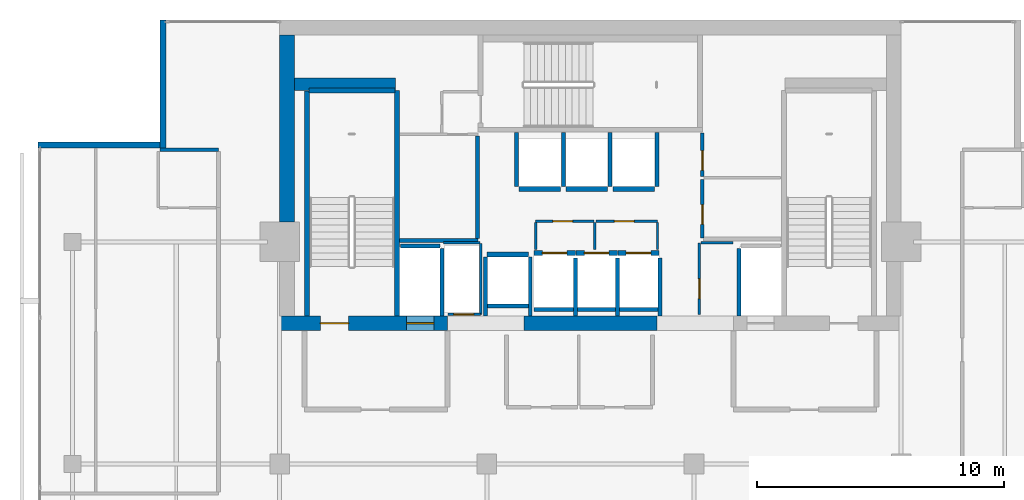
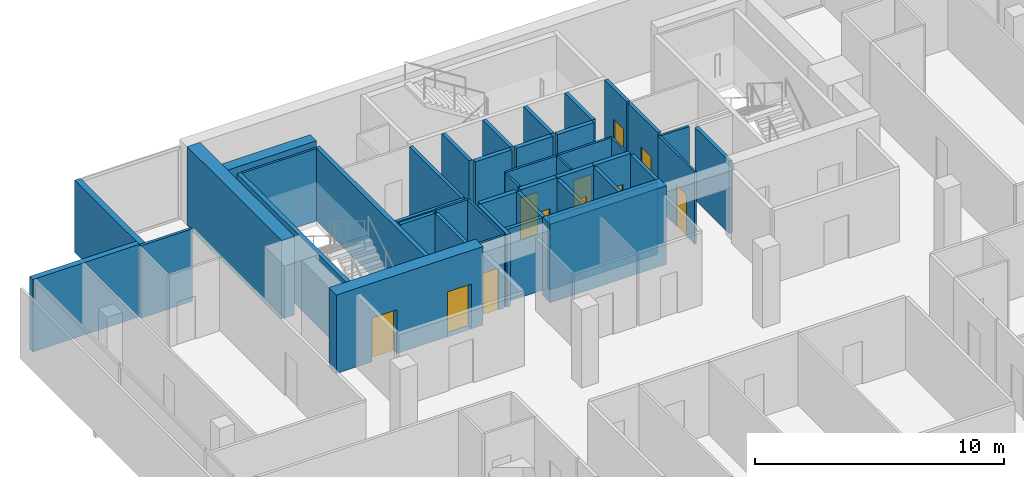
# One storey, part 22 of 26: 45 walls, 11 doors, 11 openings.
"""IFC4 building model written with IfcOpenShell, lengths in metres."""

import ifcopenshell
import ifcopenshell.guid

model = None  # the IFC model being written
_history = None  # IfcOwnerHistory: only IFC2X3 demands one
_inside = {}  # id of a spatial element -> (the spatial element, [elements in it])
_under = {}  # id of a project, library or spatial element -> (it, [spatial elements below it])
_declared = {}  # id of a project -> (the project, [libraries it declares])
_typed = {}  # id of a type object -> (the type object, [elements of that type])
_made_of = {}  # id of a material, layer set ... -> (it, [elements and type objects made of it])


def new_model(schema):
    """Start an empty IFC model of exactly this schema.

    Asked for "IFC4X3", IfcOpenShell would pick the latest addendum, in which some entities
    have other attributes; the version numbers below select the first issue.
    IFC2X3 requires an IfcOwnerHistory on every rooted entity: one is made here for all.
    """
    global model, _history
    if schema == "IFC4X3":
        model = ifcopenshell.file(schema_version=(4, 3, 0, 0))
    else:
        model = ifcopenshell.file(schema=schema)
    _inside.clear()
    _under.clear()
    _declared.clear()
    _typed.clear()
    _made_of.clear()
    _history = None
    if model.schema == "IFC2X3":
        org = make("IfcOrganization", Name="unknown")
        user = make(
            "IfcPersonAndOrganization",
            ThePerson=make("IfcPerson", FamilyName="unknown"),
            TheOrganization=org,
        )
        app = make(
            "IfcApplication",
            ApplicationDeveloper=org,
            Version="unknown",
            ApplicationFullName="unknown",
            ApplicationIdentifier="unknown",
        )
        _history = make(
            "IfcOwnerHistory",
            OwningUser=user,
            OwningApplication=app,
            ChangeAction="ADDED",
            CreationDate=0,
        )
    return model


def make(cls, **values):
    """One entity of the class cls with the attributes given. An attribute that is None is left unset."""
    return model.create_entity(
        cls, **{name: value for name, value in values.items() if value is not None}
    )


def rooted(cls, **values):
    """An entity with a GlobalId (a new one), such as an element, a storey or a relation."""
    return make(cls, GlobalId=ifcopenshell.guid.new(), OwnerHistory=_history, **values)


def si_unit(unit_type, name, prefix=None):
    """IfcSIUnit, for example si_unit("LENGTHUNIT", "METRE", prefix="MILLI")."""
    return make("IfcSIUnit", UnitType=unit_type, Prefix=prefix, Name=name)


def assignment(units):
    """IfcUnitAssignment: the units of a project."""
    return None if units is None else make("IfcUnitAssignment", Units=units)


def point(xyz):
    """IfcCartesianPoint."""
    return None if xyz is None else make("IfcCartesianPoint", Coordinates=xyz)


def direction(xyz):
    """IfcDirection."""
    return None if xyz is None else make("IfcDirection", DirectionRatios=xyz)


def frame(location, z_axis=None, x_axis=None):
    """IfcAxis2Placement3D, a coordinate frame: its origin and axes. An axis left out is left unset."""
    return make(
        "IfcAxis2Placement3D",
        Location=point(location),
        Axis=direction(z_axis),
        RefDirection=direction(x_axis),
    )


def frame_2d(location, x_axis=None):
    """IfcAxis2Placement2D, a coordinate frame in the plane: its origin and x axis."""
    return make(
        "IfcAxis2Placement2D", Location=point(location), RefDirection=direction(x_axis)
    )


def origin():
    """The frame at (0, 0, 0) with its axes left unset."""
    return frame((0.0, 0.0, 0.0))


def place(relative_to, where):
    """IfcLocalPlacement: puts the frame where relative to a parent placement (None: the world)."""
    return make(
        "IfcLocalPlacement", PlacementRelTo=relative_to, RelativePlacement=where
    )


def context(
    kind, dimensions, precision=None, world=None, true_north=None, identifier=None
):
    """IfcGeometricRepresentationContext, for example the 3D "Model" context."""
    return make(
        "IfcGeometricRepresentationContext",
        ContextIdentifier=identifier,
        ContextType=kind,
        CoordinateSpaceDimension=dimensions,
        Precision=precision,
        WorldCoordinateSystem=world,
        TrueNorth=true_north,
    )


def subcontext(parent, identifier, kind, view, scale=None):
    """IfcGeometricRepresentationSubContext, for example "Body" below "Model"."""
    return make(
        "IfcGeometricRepresentationSubContext",
        ContextIdentifier=identifier,
        ContextType=kind,
        ParentContext=parent,
        TargetScale=scale,
        TargetView=view,
    )


def project(units=None, contexts=None):
    """IfcProject with its units and contexts."""
    return rooted(
        "IfcProject",
        Name="project",
        RepresentationContexts=contexts,
        UnitsInContext=assignment(units),
    )


def spatial(cls, under=None, at=None, **own):
    """A site, building, storey or space (cls), placed at a placement, below another one or the project."""
    s = rooted(cls, ObjectPlacement=at, **own)
    if under is not None:
        _under.setdefault(under.id(), (under, []))[1].append(s)
    return s


def profile(cls, at=None, kind="AREA", **sizes):
    """A parametric profile (cls). Its sizes go by their IFC names, for example OverallWidth=200.0."""
    return make(cls, ProfileType=kind, Position=at, **sizes)


def rectangle(**sizes):
    """IfcRectangleProfileDef."""
    return profile("IfcRectangleProfileDef", **sizes)


def extrude(swept, where, along, depth):
    """IfcExtrudedAreaSolid: the profile swept, set in the frame where, extruded along a direction by depth."""
    return make(
        "IfcExtrudedAreaSolid",
        SweptArea=swept,
        Position=where,
        ExtrudedDirection=direction(along),
        Depth=depth,
    )


def shape(context_of_items, identifier, shape_type, items):
    """IfcShapeRepresentation: the items that make up one representation, for example the "Body"."""
    return make(
        "IfcShapeRepresentation",
        ContextOfItems=context_of_items,
        RepresentationIdentifier=identifier,
        RepresentationType=shape_type,
        Items=items,
    )


def material(Name=None, Category=None):
    """IfcMaterial."""
    return make("IfcMaterial", Name=Name, Category=Category)


def layer(
    of_material, thickness, ventilated=None, Name=None, Category=None, Priority=None
):
    """IfcMaterialLayer: one layer of a wall or slab, of a material (None: an air gap)."""
    return make(
        "IfcMaterialLayer",
        Material=of_material,
        LayerThickness=thickness,
        IsVentilated=ventilated,
        Name=Name,
        Category=Category,
        Priority=Priority,
    )


def layer_set(layers, Name=None):
    """IfcMaterialLayerSet."""
    return make("IfcMaterialLayerSet", MaterialLayers=layers, LayerSetName=Name)


def made_of(thing, what):
    """Note that an element or type object is made of a material, layer set ...; save() writes the relation."""
    if what is not None:
        _made_of.setdefault(what.id(), (what, []))[1].append(thing)
    return thing


def type_object(cls, material=None, **own):
    """A type object (cls), such as IfcWallType, which elements share."""
    return made_of(rooted(cls, **own), material)


def element(
    cls,
    number,
    at=None,
    inside=None,
    cuts=None,
    type_object=None,
    material=None,
    context=None,
    identifier="Body",
    shape_type=None,
    held_by="IfcProductDefinitionShape",
    body=None,
    shapes=None,
    **own,
):
    """One element of the class cls, such as IfcWall. Its Tag is "e" and its number.

    at: its placement. inside: the storey or other place that contains it. cuts: it is an
    opening in that element (IfcRelVoidsElement). A single representation is given by context,
    identifier, shape_type and body (its items); several are given by shapes. held_by: the class
    of the entity that holds the representations. save() writes the other relations.
    """
    e = rooted(cls, Tag="e%d" % number, ObjectPlacement=at, **own)
    if body is not None:
        shapes = [shape(context, identifier, shape_type, body)]
    if shapes is not None:
        e.Representation = make(held_by, Representations=shapes)
    if inside is not None:
        _inside.setdefault(inside.id(), (inside, []))[1].append(e)
    if cuts is not None:
        rooted(
            "IfcRelVoidsElement", RelatingBuildingElement=cuts, RelatedOpeningElement=e
        )
    if type_object is not None:
        _typed.setdefault(type_object.id(), (type_object, []))[1].append(e)
    return made_of(e, material)


def fill(opening, filler):
    """IfcRelFillsElement: the door or window that sits in an opening."""
    return rooted(
        "IfcRelFillsElement",
        RelatingOpeningElement=opening,
        RelatedBuildingElement=filler,
    )


def aggregate(whole, parts):
    """IfcRelAggregates: a whole, such as a stair, and the parts it consists of."""
    return rooted("IfcRelAggregates", RelatingObject=whole, RelatedObjects=parts)


def save(model, path):
    """Write the relations noted so far, then the file.

    IfcRelAggregates (storeys below a building ...), IfcRelContainedInSpatialStructure (elements
    in a storey), IfcRelDefinesByType, IfcRelAssociatesMaterial and IfcRelDeclares: one each for
    every whole, place, type object, material and project.
    """
    for whole, parts in _under.values():
        aggregate(whole, parts)
    for where, things in _inside.values():
        rooted(
            "IfcRelContainedInSpatialStructure",
            RelatedElements=things,
            RelatingStructure=where,
        )
    for kind, things in _typed.values():
        rooted("IfcRelDefinesByType", RelatedObjects=things, RelatingType=kind)
    for what, things in _made_of.values():
        rooted("IfcRelAssociatesMaterial", RelatedObjects=things, RelatingMaterial=what)
    for by, libraries in _declared.values():
        rooted("IfcRelDeclares", RelatingContext=by, RelatedDefinitions=libraries)
    model.write(path)


model = new_model("IFC4")

# Units and contexts
model_context = context("Model", 3, precision=1e-05, world=origin(), true_north=direction((0.0, 1.0)))
body_context = subcontext(model_context, "Body", "Model", "MODEL_VIEW")
ifc_project = project(units=[si_unit("LENGTHUNIT", "METRE"), si_unit("AREAUNIT", "SQUARE_METRE"), si_unit("VOLUMEUNIT", "CUBIC_METRE"), si_unit("PLANEANGLEUNIT", "RADIAN"), si_unit("MASSUNIT", "GRAM", prefix="KILO")], contexts=[model_context])

# Site, building, storey
site_placement = place(None, origin())
site = spatial("IfcSite", under=ifc_project, at=site_placement, CompositionType="ELEMENT")
building_placement = place(site_placement, origin())
building = spatial("IfcBuilding", under=site, at=building_placement, Name="Maruvema Waterfront Hotel and Observation Tower", CompositionType="ELEMENT")
storey_placement = place(building_placement, frame((0.0, 0.0, 312.550048828125)))
storey = spatial("IfcBuildingStorey", under=building, at=storey_placement, Name="L77", CompositionType="ELEMENT", Elevation=312.550048828125)

# Walls
ifc_material_1 = material(Name="Twin-stud acoustic gypsum drywall", Category="gypsum")
ifc_layer_1 = layer(ifc_material_1, 0.14990234375, Name="Acoustic Corridor and Suite Demising Wall 150 mm")
ifc_layer_set_1 = layer_set([ifc_layer_1], Name="Twin-stud acoustic gypsum drywall")
wall_type_1 = type_object("IfcWallType", Name="Acoustic Corridor and Suite Demising Wall 150 mm", PredefinedType="PARTITIONING", material=ifc_layer_set_1)
wall_1_placement = place(storey_placement, frame((30.06005859375, 45.06005859375, 0.0), z_axis=(0.0, 0.0, 1.0), x_axis=(1.0, 0.0, 0.0)))
element("IfcWall", 1, at=wall_1_placement, inside=storey, type_object=wall_type_1, Name="L77 Freed B1 South Wall 017", PredefinedType="PARTITIONING", context=body_context, shape_type="SweptSolid", body=[
    extrude(rectangle(XDim=3.179931640625, YDim=0.14990234375, at=frame_2d((1.58984375, 0.0))), origin(), (0.0, 0.0, 1.0), 3.550048828125),
])
wall_2_placement = place(storey_placement, frame((33.219970703125, 45.139892578125, 0.0), z_axis=(0.0, 0.0, 1.0), x_axis=(0.0, 1.0, 0.0)))
element("IfcWall", 2, at=wall_2_placement, inside=storey, type_object=wall_type_1, Name="L77 Freed B1 East Wall 018", PredefinedType="PARTITIONING", context=body_context, shape_type="SweptSolid", body=[
    extrude(rectangle(XDim=4.16015625, YDim=0.14990234375, at=frame_2d((2.080078125, 0.0))), origin(), (0.0, 0.0, 1.0), 3.550048828125),
])

# Wall, opening, door
wall_3_placement = place(storey_placement, frame((42.340087890625, 45.159912109375, 0.0), z_axis=(0.0, 0.0, 1.0), x_axis=(0.0, 1.0, 0.0)))
wall_3 = element("IfcWall", 3, at=wall_3_placement, inside=storey, type_object=wall_type_1, Name="L77 Freed B2 West S 022", PredefinedType="PARTITIONING", context=body_context, shape_type="SweptSolid", body=[
    extrude(rectangle(XDim=2.380126953125, YDim=0.14990234375, at=frame_2d((1.18994140625, 0.0))), origin(), (0.0, 0.0, 1.0), 3.550048828125),
])
opening_1_placement = place(wall_3_placement, frame((0.550048828125, 0.0, 0.0)))
opening_1 = element("IfcOpeningElement", 4, at=opening_1_placement, cuts=wall_3, Name="Opening DR-080", PredefinedType="OPENING", context=body_context, shape_type="SweptSolid", body=[
    extrude(rectangle(XDim=0.800048828125, YDim=2.050048828125, at=frame_2d((0.39990234375, 1.02490234375))), frame((0.0, 0.0849609375, 0.0), z_axis=(0.0, -1.0, 0.0), x_axis=(1.0, 0.0, 0.0)), (0.0, 0.0, 1.0), 0.169921875),
])
ifc_material_2 = material(Name="Powder-coated steel access leaf", Category="steel")
door_type_1 = type_object("IfcDoorType", Name="Riser and Service Cupboard Door 800x2050 mm", OperationType="NOTDEFINED", PredefinedType="DOOR", material=ifc_material_2)
door_1_placement = place(opening_1_placement, frame((0.800048828125, 0.0, 0.0), z_axis=(0.0, 0.0, 1.0), x_axis=(-1.0, 0.0, 0.0)))
door_1 = element("IfcDoor", 5, at=door_1_placement, inside=storey, type_object=door_type_1, Name="L77 Butler Service Pantry Door", OperationType="SINGLE_SWING_RIGHT", OverallHeight=2.050048828125, OverallWidth=0.800048828125, PredefinedType="DOOR", context=body_context, shape_type="SweptSolid", body=[
    extrude(rectangle(XDim=0.800048828125, YDim=2.050048828125, at=frame_2d((0.39990234375, 1.02490234375))), frame((0.0, 0.02490234375, 0.0), z_axis=(0.0, -1.0, 0.0), x_axis=(1.0, 0.0, 0.0)), (0.0, 0.0, 1.0), 0.050048828125),
])
fill(opening_1, door_1)

wall_4_placement = place(storey_placement, frame((42.340087890625, 47.659912109375, 0.0), z_axis=(0.0, 0.0, 1.0), x_axis=(0.0, 1.0, 0.0)))
wall_4 = element("IfcWall", 6, at=wall_4_placement, inside=storey, type_object=wall_type_1, Name="L77 Freed B2 West N 023", PredefinedType="PARTITIONING", context=body_context, shape_type="SweptSolid", body=[
    extrude(rectangle(XDim=1.760009765625, YDim=0.14990234375, at=frame_2d((0.8798828125, 0.0))), origin(), (0.0, 0.0, 1.0), 3.550048828125),
])
opening_2_placement = place(wall_4_placement, frame((0.239990234375, 0.0, 0.0)))
opening_2 = element("IfcOpeningElement", 7, at=opening_2_placement, cuts=wall_4, Name="Opening DR-080", PredefinedType="OPENING", context=body_context, shape_type="SweptSolid", body=[
    extrude(rectangle(XDim=0.800048828125, YDim=2.050048828125, at=frame_2d((0.39990234375, 1.02490234375))), frame((0.0, 0.0849609375, 0.0), z_axis=(0.0, -1.0, 0.0), x_axis=(1.0, 0.0, 0.0)), (0.0, 0.0, 1.0), 0.169921875),
])
door_2_placement = place(opening_2_placement, frame((0.800048828125, 0.0, 0.0), z_axis=(0.0, 0.0, 1.0), x_axis=(-1.0, 0.0, 0.0)))
door_2 = element("IfcDoor", 8, at=door_2_placement, inside=storey, type_object=door_type_1, Name="L77 Core IT and Linen Store Door", OperationType="SINGLE_SWING_LEFT", OverallHeight=2.050048828125, OverallWidth=0.800048828125, PredefinedType="DOOR", context=body_context, shape_type="SweptSolid", body=[
    extrude(rectangle(XDim=0.800048828125, YDim=2.050048828125, at=frame_2d((0.39990234375, 1.02490234375))), frame((0.0, 0.02490234375, 0.0), z_axis=(0.0, -1.0, 0.0), x_axis=(1.0, 0.0, 0.0)), (0.0, 0.0, 1.0), 0.050048828125),
])
fill(opening_2, door_2)

# Walls
ifc_material_3 = material(Name="Precast concrete C45/55", Category="concrete")
ifc_layer_2 = layer(ifc_material_3, 0.199951171875, Name="Core Shaft and Stairwell Enclosure Wall 200 mm")
ifc_layer_set_2 = layer_set([ifc_layer_2], Name="Precast concrete C45/55")
wall_type_2 = type_object("IfcWallType", Name="Core Shaft and Stairwell Enclosure Wall 200 mm", PredefinedType="SOLIDWALL", material=ifc_layer_set_2)
wall_5_placement = place(storey_placement, frame((29.949951171875, 42.0, 0.0), z_axis=(0.0, 0.0, 1.0), x_axis=(0.0, 1.0, 0.0)))
element("IfcWall", 9, at=wall_5_placement, inside=storey, type_object=wall_type_2, Name="L77 Stairwell ST-01 East Shaft Wall", PredefinedType="SOLIDWALL", context=body_context, shape_type="SweptSolid", body=[
    extrude(rectangle(XDim=9.14990234375, YDim=0.199951171875, at=frame_2d((4.574951171875, 0.0))), origin(), (0.0, 0.0, 1.0), 3.550048828125),
])
wall_6_placement = place(storey_placement, frame((26.300048828125, 42.0, 0.0), z_axis=(0.0, 0.0, 1.0), x_axis=(0.0, 1.0, 0.0)))
element("IfcWall", 10, at=wall_6_placement, inside=storey, type_object=wall_type_2, Name="L77 Stairwell ST-01 Shaft Lining Wall", PredefinedType="SOLIDWALL", context=body_context, shape_type="SweptSolid", body=[
    extrude(rectangle(XDim=9.1201171875, YDim=0.199951171875, at=frame_2d((4.56005859375, 0.0))), origin(), (0.0, 0.0, 1.0), 3.550048828125),
])
wall_7_placement = place(storey_placement, frame((26.3798828125, 51.14990234375, 0.0), z_axis=(0.0, 0.0, 1.0), x_axis=(1.0, 0.0, 0.0)))
element("IfcWall", 11, at=wall_7_placement, inside=storey, type_object=wall_type_2, Name="L77 Stairwell ST-01 Shaft Lining Wall", PredefinedType="SOLIDWALL", context=body_context, shape_type="SweptSolid", body=[
    extrude(rectangle(XDim=3.5, YDim=0.199951171875, at=frame_2d((1.75, 0.0))), origin(), (0.0, 0.0, 1.0), 3.550048828125),
])

# Wall, opening, door
wall_8_placement = place(storey_placement, frame((35.510009765625, 44.550048828125, 0.0), z_axis=(0.0, 0.0, 1.0), x_axis=(1.0, 0.0, 0.0)))
wall_8 = element("IfcWall", 12, at=wall_8_placement, inside=storey, type_object=wall_type_2, Name="L77 Lift LF-09 Hoistway Front Wall", PredefinedType="SOLIDWALL", context=body_context, shape_type="SweptSolid", body=[
    extrude(rectangle(XDim=1.679931640625, YDim=0.199951171875, at=frame_2d((0.83984375, 0.0))), origin(), (0.0, 0.0, 1.0), 3.550048828125),
])
opening_3_placement = place(wall_8_placement, frame((0.340087890625, 0.0, 0.0)))
opening_3 = element("IfcOpeningElement", 13, at=opening_3_placement, cuts=wall_8, Name="Opening LD-01", PredefinedType="OPENING", context=body_context, shape_type="SweptSolid", body=[
    extrude(rectangle(XDim=1.0, YDim=2.14990234375, at=frame_2d((0.5, 1.074951171875))), frame((0.0, 0.10986328125, 0.0), z_axis=(0.0, -1.0, 0.0), x_axis=(1.0, 0.0, 0.0)), (0.0, 0.0, 1.0), 0.219970703125),
])
ifc_material_4 = material(Name="Brushed stainless steel Grade 316", Category="steel")
door_type_2 = type_object("IfcDoorType", Name="Passenger Lift Sliding Landing Door 1000x2150 mm", OperationType="SLIDING_TO_LEFT", PredefinedType="DOOR", material=ifc_material_4)
door_3_placement = place(opening_3_placement, origin())
door_3 = element("IfcDoor", 14, at=door_3_placement, inside=storey, type_object=door_type_2, Name="L77 Lift LF-09 Sliding Landing Door", OperationType="SLIDING_TO_LEFT", OverallHeight=2.14990234375, OverallWidth=1.0, PredefinedType="DOOR", context=body_context, shape_type="SweptSolid", body=[
    extrude(rectangle(XDim=1.0, YDim=2.14990234375, at=frame_2d((0.5, 1.074951171875))), frame((0.0, 0.02490234375, 0.0), z_axis=(0.0, -1.0, 0.0), x_axis=(1.0, 0.0, 0.0)), (0.0, 0.0, 1.0), 0.050048828125),
])
fill(opening_3, door_3)

wall_9_placement = place(storey_placement, frame((37.2099609375, 44.550048828125, 0.0), z_axis=(0.0, 0.0, 1.0), x_axis=(1.0, 0.0, 0.0)))
wall_9 = element("IfcWall", 15, at=wall_9_placement, inside=storey, type_object=wall_type_2, Name="L77 Lift LF-10 Hoistway Front Wall", PredefinedType="SOLIDWALL", context=body_context, shape_type="SweptSolid", body=[
    extrude(rectangle(XDim=1.679931640625, YDim=0.199951171875, at=frame_2d((0.83984375, 0.0))), origin(), (0.0, 0.0, 1.0), 3.550048828125),
])
opening_4_placement = place(wall_9_placement, frame((0.340087890625, 0.0, 0.0)))
opening_4 = element("IfcOpeningElement", 16, at=opening_4_placement, cuts=wall_9, Name="Opening LD-01", PredefinedType="OPENING", context=body_context, shape_type="SweptSolid", body=[
    extrude(rectangle(XDim=1.0, YDim=2.14990234375, at=frame_2d((0.5, 1.074951171875))), frame((0.0, 0.10986328125, 0.0), z_axis=(0.0, -1.0, 0.0), x_axis=(1.0, 0.0, 0.0)), (0.0, 0.0, 1.0), 0.219970703125),
])
door_4_placement = place(opening_4_placement, origin())
door_4 = element("IfcDoor", 17, at=door_4_placement, inside=storey, type_object=door_type_2, Name="L77 Lift LF-10 Sliding Landing Door", OperationType="SLIDING_TO_LEFT", OverallHeight=2.14990234375, OverallWidth=1.0, PredefinedType="DOOR", context=body_context, shape_type="SweptSolid", body=[
    extrude(rectangle(XDim=1.0, YDim=2.14990234375, at=frame_2d((0.5, 1.074951171875))), frame((0.0, 0.02490234375, 0.0), z_axis=(0.0, -1.0, 0.0), x_axis=(1.0, 0.0, 0.0)), (0.0, 0.0, 1.0), 0.050048828125),
])
fill(opening_4, door_4)

wall_10_placement = place(storey_placement, frame((38.909912109375, 44.550048828125, 0.0), z_axis=(0.0, 0.0, 1.0), x_axis=(1.0, 0.0, 0.0)))
wall_10 = element("IfcWall", 18, at=wall_10_placement, inside=storey, type_object=wall_type_2, Name="L77 Lift LF-11 Hoistway Front Wall", PredefinedType="SOLIDWALL", context=body_context, shape_type="SweptSolid", body=[
    extrude(rectangle(XDim=1.68017578125, YDim=0.199951171875, at=frame_2d((0.840087890625, 0.0))), origin(), (0.0, 0.0, 1.0), 3.550048828125),
])
opening_5_placement = place(wall_10_placement, frame((0.340087890625, 0.0, 0.0)))
opening_5 = element("IfcOpeningElement", 19, at=opening_5_placement, cuts=wall_10, Name="Opening LD-01", PredefinedType="OPENING", context=body_context, shape_type="SweptSolid", body=[
    extrude(rectangle(XDim=1.0, YDim=2.14990234375, at=frame_2d((0.5, 1.074951171875))), frame((0.0, 0.10986328125, 0.0), z_axis=(0.0, -1.0, 0.0), x_axis=(1.0, 0.0, 0.0)), (0.0, 0.0, 1.0), 0.219970703125),
])
door_5_placement = place(opening_5_placement, origin())
door_5 = element("IfcDoor", 20, at=door_5_placement, inside=storey, type_object=door_type_2, Name="L77 Lift LF-11 Sliding Landing Door", OperationType="SLIDING_TO_LEFT", OverallHeight=2.14990234375, OverallWidth=1.0, PredefinedType="DOOR", context=body_context, shape_type="SweptSolid", body=[
    extrude(rectangle(XDim=1.0, YDim=2.14990234375, at=frame_2d((0.5, 1.074951171875))), frame((0.0, 0.02490234375, 0.0), z_axis=(0.0, -1.0, 0.0), x_axis=(1.0, 0.0, 0.0)), (0.0, 0.0, 1.0), 0.050048828125),
])
fill(opening_5, door_5)

# Walls
wall_11_placement = place(storey_placement, frame((34.909912109375, 47.14990234375, 0.0), z_axis=(0.0, 0.0, 1.0), x_axis=(1.0, 0.0, 0.0)))
element("IfcWall", 21, at=wall_11_placement, inside=storey, type_object=wall_type_2, Name="L77 Lift LF-12 Hoistway Front Wall", PredefinedType="SOLIDWALL", context=body_context, shape_type="SweptSolid", body=[
    extrude(rectangle(XDim=1.68017578125, YDim=0.199951171875, at=frame_2d((0.840087890625, 0.0))), origin(), (0.0, 0.0, 1.0), 3.550048828125),
])
for number, where, z_axis, x_axis, name in (
    (22, (36.81005859375, 47.14990234375, 0.0), (0.0, 0.0, 1.0), (1.0, 0.0, 0.0), "L77 Lift LF-13 Hoistway Front Wall"),
    (23, (38.7099609375, 47.14990234375, 0.0), (0.0, 0.0, 1.0), (1.0, 0.0, 0.0), "L77 Lift LF-14 Hoistway Front Wall"),
    (24, (33.610107421875, 44.5, 0.0), (0.0, 0.0, 1.0), (1.0, 0.0, 0.0), "L77 Lift LF-15 Hoistway Front Wall"),
):
    element("IfcWall", number, at=place(storey_placement, frame(where, z_axis=z_axis, x_axis=x_axis)), inside=storey, type_object=wall_type_2, Name=name, PredefinedType="SOLIDWALL", context=body_context, shape_type="SweptSolid", body=[
        extrude(rectangle(XDim=1.679931640625, YDim=0.199951171875, at=frame_2d((0.83984375, 0.0))), origin(), (0.0, 0.0, 1.0), 3.550048828125),
    ])
ifc_material_5 = material(Name="Concrete C70/85", Category="concrete")
ifc_layer_3 = layer(ifc_material_5, 0.5, Name="Core Shear Wall 500 mm")
ifc_layer_set_3 = layer_set([ifc_layer_3], Name="Concrete C70/85")
wall_type_3 = type_object("IfcWallType", Name="Core Shear Wall 500 mm", PredefinedType="SHEAR", material=ifc_layer_set_3)
wall_12_placement = place(storey_placement, frame((25.800048828125, 51.39990234375, 0.0), z_axis=(0.0, 0.0, 1.0), x_axis=(1.0, 0.0, 0.0)))
element("IfcWall", 25, at=wall_12_placement, inside=storey, type_object=wall_type_3, Name="L77 Internal Core Shear Wall NW 500 mm", PredefinedType="SHEAR", context=body_context, shape_type="SweptSolid", body=[
    extrude(rectangle(XDim=4.099853515625, YDim=0.5, at=frame_2d((2.0498046875, 0.0))), origin(), (0.0, 0.0, 1.0), 3.849853515625),
])

# Wall, openings, doors
ifc_material_6 = material(Name="Concrete C60/75", Category="concrete")
ifc_layer_4 = layer(ifc_material_6, 0.60009765625, Name="Core Shear Wall 600 mm")
ifc_layer_set_4 = layer_set([ifc_layer_4], Name="Concrete C60/75")
wall_type_4 = type_object("IfcWallType", Name="Core Shear Wall 600 mm", PredefinedType="SHEAR", material=ifc_layer_set_4)
wall_13_placement = place(storey_placement, frame((25.199951171875, 41.699951171875, 0.0), z_axis=(0.0, 0.0, 1.0), x_axis=(1.0, 0.0, 0.0)))
wall_13 = element("IfcWall", 26, at=wall_13_placement, inside=storey, type_object=wall_type_4, Name="L77 South-West Core Shear Wall", PredefinedType="SHEAR", context=body_context, shape_type="SweptSolid", body=[
    extrude(rectangle(XDim=6.800048828125, YDim=0.60009765625, at=frame_2d((3.39990234375, 0.0))), origin(), (0.0, 0.0, 1.0), 3.849853515625),
])
opening_6_placement = place(wall_13_placement, frame((1.64990234375, 0.0, 0.0)))
opening_6 = element("IfcOpeningElement", 27, at=opening_6_placement, cuts=wall_13, Name="Opening SD-01", PredefinedType="OPENING", context=body_context, shape_type="SweptSolid", body=[
    extrude(rectangle(XDim=1.14990234375, YDim=2.14990234375, at=frame_2d((0.574951171875, 1.074951171875))), frame((0.0, 0.31005859375, 0.0), z_axis=(0.0, -1.0, 0.0), x_axis=(1.0, 0.0, 0.0)), (0.0, 0.0, 1.0), 0.6201171875),
])
opening_7_placement = place(wall_13_placement, frame((5.14990234375, 0.0, 0.0)))
opening_7 = element("IfcOpeningElement", 28, at=opening_7_placement, cuts=wall_13, Name="Opening LD-03", PredefinedType="OPENING", context=body_context, shape_type="SweptSolid", body=[
    extrude(rectangle(XDim=1.10009765625, YDim=2.199951171875, at=frame_2d((0.550048828125, 1.10009765625))), frame((0.0, 0.31005859375, 0.0), z_axis=(0.0, -1.0, 0.0), x_axis=(1.0, 0.0, 0.0)), (0.0, 0.0, 1.0), 0.6201171875),
])
ifc_material_7 = material(Name="Fire-rated galvanised steel leaf", Category="steel")
door_type_3 = type_object("IfcDoorType", Name="Exit Stair Fire Door 1150x2150 mm", OperationType="NOTDEFINED", PredefinedType="DOOR", material=ifc_material_7)
door_6_placement = place(opening_6_placement, origin())
door_6 = element("IfcDoor", 29, at=door_6_placement, inside=storey, type_object=door_type_3, Name="L77 Exit Stair ST-01 Fire Door", OperationType="SINGLE_SWING_LEFT", OverallHeight=2.14990234375, OverallWidth=1.14990234375, PredefinedType="DOOR", context=body_context, shape_type="SweptSolid", body=[
    extrude(rectangle(XDim=1.14990234375, YDim=2.14990234375, at=frame_2d((0.574951171875, 1.074951171875))), frame((0.0, 0.02490234375, 0.0), z_axis=(0.0, -1.0, 0.0), x_axis=(1.0, 0.0, 0.0)), (0.0, 0.0, 1.0), 0.050048828125),
])
fill(opening_6, door_6)
ifc_material_8 = material(Name="Brushed stainless steel Grade 316", Category="steel")
door_type_4 = type_object("IfcDoorType", Name="Firefighting Lift Sliding Landing Door 1100x2200 mm", OperationType="SLIDING_TO_LEFT", PredefinedType="DOOR", material=ifc_material_8)
door_7_placement = place(opening_7_placement, frame((1.10009765625, 0.0, 0.0), z_axis=(0.0, 0.0, 1.0), x_axis=(-1.0, 0.0, 0.0)))
door_7 = element("IfcDoor", 30, at=door_7_placement, inside=storey, type_object=door_type_4, Name="L77 Firefighting Lift FL-01 Landing Door", OperationType="SLIDING_TO_LEFT", OverallHeight=2.199951171875, OverallWidth=1.10009765625, PredefinedType="DOOR", context=body_context, shape_type="SweptSolid", body=[
    extrude(rectangle(XDim=1.10009765625, YDim=2.199951171875, at=frame_2d((0.550048828125, 1.10009765625))), frame((0.0, 0.02490234375, 0.0), z_axis=(0.0, -1.0, 0.0), x_axis=(1.0, 0.0, 0.0)), (0.0, 0.0, 1.0), 0.050048828125),
])
fill(opening_7, door_7)

# Walls
wall_14_placement = place(storey_placement, frame((35.10009765625, 41.699951171875, 0.0), z_axis=(0.0, 0.0, 1.0), x_axis=(1.0, 0.0, 0.0)))
element("IfcWall", 31, at=wall_14_placement, inside=storey, type_object=wall_type_4, Name="L77 South-Central Core Shear Wall", PredefinedType="SHEAR", context=body_context, shape_type="SweptSolid", body=[
    extrude(rectangle(XDim=5.39990234375, YDim=0.60009765625, at=frame_2d((2.699951171875, 0.0))), origin(), (0.0, 0.0, 1.0), 3.849853515625),
])
wall_15_placement = place(storey_placement, frame((25.5, 45.800048828125, 0.0), z_axis=(0.0, 0.0, 1.0), x_axis=(0.0, 1.0, 0.0)))
element("IfcWall", 32, at=wall_15_placement, inside=storey, type_object=wall_type_4, Name="L77 West-North Core Shear Wall", PredefinedType="SHEAR", context=body_context, shape_type="SweptSolid", body=[
    extrude(rectangle(XDim=7.599853515625, YDim=0.60009765625, at=frame_2d((3.7998046875, 0.0))), origin(), (0.0, 0.0, 1.0), 3.849853515625),
])

# Wall, opening, door
ifc_material_9 = material(Name="Moisture-resistant cement-board drywall", Category="gypsum")
ifc_layer_5 = layer(ifc_material_9, 0.10009765625, Name="En-Suite Moisture-Resistant Partition 100 mm")
ifc_layer_set_5 = layer_set([ifc_layer_5], Name="Moisture-resistant cement-board drywall")
wall_type_5 = type_object("IfcWallType", Name="En-Suite Moisture-Resistant Partition 100 mm", PredefinedType="PARTITIONING", material=ifc_layer_set_5)
wall_16_placement = place(storey_placement, frame((32.02001953125, 42.06005859375, 0.0), z_axis=(0.0, 0.0, 1.0), x_axis=(1.0, 0.0, 0.0)))
wall_16 = element("IfcWall", 33, at=wall_16_placement, inside=storey, type_object=wall_type_5, Name="L77 Telecom Riser South Wall 007", PredefinedType="PARTITIONING", context=body_context, shape_type="SweptSolid", body=[
    extrude(rectangle(XDim=1.320068359375, YDim=0.10009765625, at=frame_2d((0.66015625, 0.0))), origin(), (0.0, 0.0, 1.0), 3.550048828125),
])
opening_8_placement = place(wall_16_placement, frame((0.239990234375, 0.0, 0.0)))
opening_8 = element("IfcOpeningElement", 34, at=opening_8_placement, cuts=wall_16, Name="Opening DR-080", PredefinedType="OPENING", context=body_context, shape_type="SweptSolid", body=[
    extrude(rectangle(XDim=0.800048828125, YDim=2.050048828125, at=frame_2d((0.39990234375, 1.02490234375))), frame((0.0, 0.06005859375, 0.0), z_axis=(0.0, -1.0, 0.0), x_axis=(1.0, 0.0, 0.0)), (0.0, 0.0, 1.0), 0.1201171875),
])
door_8_placement = place(opening_8_placement, frame((0.800048828125, 0.0, 0.0), z_axis=(0.0, 0.0, 1.0), x_axis=(-1.0, 0.0, 0.0)))
door_8 = element("IfcDoor", 35, at=door_8_placement, inside=storey, type_object=door_type_1, Name="L77 Telecom Riser Door", OperationType="SINGLE_SWING_RIGHT", OverallHeight=2.050048828125, OverallWidth=0.800048828125, PredefinedType="DOOR", context=body_context, shape_type="SweptSolid", body=[
    extrude(rectangle(XDim=0.800048828125, YDim=2.050048828125, at=frame_2d((0.39990234375, 1.02490234375))), frame((0.0, 0.02490234375, 0.0), z_axis=(0.0, -1.0, 0.0), x_axis=(1.0, 0.0, 0.0)), (0.0, 0.0, 1.0), 0.050048828125),
])
fill(opening_8, door_8)

# Walls
wall_17_placement = place(storey_placement, frame((31.840087890625, 44.9599609375, 0.0), z_axis=(0.0, 0.0, 1.0), x_axis=(1.0, 0.0, 0.0)))
element("IfcWall", 36, at=wall_17_placement, inside=storey, type_object=wall_type_5, Name="L77 Telecom Riser North Wall 008", PredefinedType="PARTITIONING", context=body_context, shape_type="SweptSolid", body=[
    extrude(rectangle(XDim=1.47998046875, YDim=0.10009765625, at=frame_2d((0.739990234375, 0.0))), origin(), (0.0, 0.0, 1.0), 3.550048828125),
])
wall_18_placement = place(storey_placement, frame((33.360107421875, 42.06005859375, 0.0), z_axis=(0.0, 0.0, 1.0), x_axis=(0.0, 1.0, 0.0)))
element("IfcWall", 37, at=wall_18_placement, inside=storey, type_object=wall_type_5, Name="L77 Telecom Riser East Wall 009", PredefinedType="PARTITIONING", context=body_context, shape_type="SweptSolid", body=[
    extrude(rectangle(XDim=2.8798828125, YDim=0.10009765625, at=frame_2d((1.43994140625, 0.0))), origin(), (0.0, 0.0, 1.0), 3.550048828125),
])

# Wall, opening, door
wall_19_placement = place(storey_placement, frame((35.580078125, 45.840087890625, 0.0), z_axis=(0.0, 0.0, 1.0), x_axis=(1.0, 0.0, 0.0)))
wall_19 = element("IfcWall", 38, at=wall_19_placement, inside=storey, type_object=wall_type_5, Name="L77 Core Closet K2A North 010", PredefinedType="PARTITIONING", context=body_context, shape_type="SweptSolid", body=[
    extrude(rectangle(XDim=2.35986328125, YDim=0.10009765625, at=frame_2d((1.179931640625, 0.0))), origin(), (0.0, 0.0, 1.0), 3.550048828125),
])
opening_9_placement = place(wall_19_placement, frame((0.699951171875, 0.0, 0.0)))
opening_9 = element("IfcOpeningElement", 39, at=opening_9_placement, cuts=wall_19, Name="Opening DR-080", PredefinedType="OPENING", context=body_context, shape_type="SweptSolid", body=[
    extrude(rectangle(XDim=0.800048828125, YDim=2.050048828125, at=frame_2d((0.39990234375, 1.02490234375))), frame((0.0, 0.06005859375, 0.0), z_axis=(0.0, -1.0, 0.0), x_axis=(1.0, 0.0, 0.0)), (0.0, 0.0, 1.0), 0.1201171875),
])
door_9_placement = place(opening_9_placement, origin())
door_9 = element("IfcDoor", 40, at=door_9_placement, inside=storey, type_object=door_type_1, Name="L77 Core IT Closet Door", OperationType="SINGLE_SWING_LEFT", OverallHeight=2.050048828125, OverallWidth=0.800048828125, PredefinedType="DOOR", context=body_context, shape_type="SweptSolid", body=[
    extrude(rectangle(XDim=0.800048828125, YDim=2.050048828125, at=frame_2d((0.39990234375, 1.02490234375))), frame((0.0, 0.02490234375, 0.0), z_axis=(0.0, -1.0, 0.0), x_axis=(1.0, 0.0, 0.0)), (0.0, 0.0, 1.0), 0.050048828125),
])
fill(opening_9, door_9)

wall_20_placement = place(storey_placement, frame((38.02001953125, 45.840087890625, 0.0), z_axis=(0.0, 0.0, 1.0), x_axis=(1.0, 0.0, 0.0)))
wall_20 = element("IfcWall", 41, at=wall_20_placement, inside=storey, type_object=wall_type_5, Name="L77 Core Closet K2B North 011", PredefinedType="PARTITIONING", context=body_context, shape_type="SweptSolid", body=[
    extrude(rectangle(XDim=2.5, YDim=0.10009765625, at=frame_2d((1.25, 0.0))), origin(), (0.0, 0.0, 1.0), 3.550048828125),
])
opening_10_placement = place(wall_20_placement, frame((0.75, 0.0, 0.0)))
opening_10 = element("IfcOpeningElement", 42, at=opening_10_placement, cuts=wall_20, Name="Opening DR-080", PredefinedType="OPENING", context=body_context, shape_type="SweptSolid", body=[
    extrude(rectangle(XDim=0.800048828125, YDim=2.050048828125, at=frame_2d((0.39990234375, 1.02490234375))), frame((0.0, 0.06005859375, 0.0), z_axis=(0.0, -1.0, 0.0), x_axis=(1.0, 0.0, 0.0)), (0.0, 0.0, 1.0), 0.1201171875),
])
door_10_placement = place(opening_10_placement, origin())
door_10 = element("IfcDoor", 43, at=door_10_placement, inside=storey, type_object=door_type_1, Name="L77 Core Linen Cupboard Door", OperationType="SINGLE_SWING_RIGHT", OverallHeight=2.050048828125, OverallWidth=0.800048828125, PredefinedType="DOOR", context=body_context, shape_type="SweptSolid", body=[
    extrude(rectangle(XDim=0.800048828125, YDim=2.050048828125, at=frame_2d((0.39990234375, 1.02490234375))), frame((0.0, 0.02490234375, 0.0), z_axis=(0.0, -1.0, 0.0), x_axis=(1.0, 0.0, 0.0)), (0.0, 0.0, 1.0), 0.050048828125),
])
fill(opening_10, door_10)

# Walls
for number, where, z_axis, x_axis, name in (
    (44, (35.580078125, 44.699951171875, 0.0), (0.0, 0.0, 1.0), (0.0, 1.0, 0.0), "L77 Core Closet K2 West 012"),
    (45, (37.97998046875, 44.699951171875, 0.0), (0.0, 0.0, 1.0), (0.0, 1.0, 0.0), "L77 Core Closet K2 Mid 013"),
    (46, (40.52001953125, 44.699951171875, 0.0), (0.0, 0.0, 1.0), (0.0, 1.0, 0.0), "L77 Core Closet K2 East 014"),
):
    element("IfcWall", number, at=place(storey_placement, frame(where, z_axis=z_axis, x_axis=x_axis)), inside=storey, type_object=wall_type_5, Name=name, PredefinedType="PARTITIONING", context=body_context, shape_type="SweptSolid", body=[
        extrude(rectangle(XDim=1.080078125, YDim=0.10009765625, at=frame_2d((0.5400390625, 0.0))), origin(), (0.0, 0.0, 1.0), 3.550048828125),
    ])

# Wall, opening, door
wall_21_placement = place(storey_placement, frame((42.219970703125, 42.050048828125, 0.0), z_axis=(0.0, 0.0, 1.0), x_axis=(0.0, 1.0, 0.0)))
wall_21 = element("IfcWall", 47, at=wall_21_placement, inside=storey, type_object=wall_type_5, Name="L77 Core Closet K2C West 015", PredefinedType="PARTITIONING", context=body_context, shape_type="SweptSolid", body=[
    extrude(rectangle(XDim=2.909912109375, YDim=0.10009765625, at=frame_2d((1.455078125, 0.0))), origin(), (0.0, 0.0, 1.0), 3.550048828125),
])
opening_11_placement = place(wall_21_placement, frame((0.64990234375, 0.0, 0.0)))
opening_11 = element("IfcOpeningElement", 48, at=opening_11_placement, cuts=wall_21, Name="Opening DR-080", PredefinedType="OPENING", context=body_context, shape_type="SweptSolid", body=[
    extrude(rectangle(XDim=0.800048828125, YDim=2.050048828125, at=frame_2d((0.39990234375, 1.02490234375))), frame((0.0, 0.06005859375, 0.0), z_axis=(0.0, -1.0, 0.0), x_axis=(1.0, 0.0, 0.0)), (0.0, 0.0, 1.0), 0.1201171875),
])
door_11_placement = place(opening_11_placement, frame((0.800048828125, 0.0, 0.0), z_axis=(0.0, 0.0, 1.0), x_axis=(-1.0, 0.0, 0.0)))
door_11 = element("IfcDoor", 49, at=door_11_placement, inside=storey, type_object=door_type_1, Name="L77 Core Housekeeping Closet Door", OperationType="SINGLE_SWING_LEFT", OverallHeight=2.050048828125, OverallWidth=0.800048828125, PredefinedType="DOOR", context=body_context, shape_type="SweptSolid", body=[
    extrude(rectangle(XDim=0.800048828125, YDim=2.050048828125, at=frame_2d((0.39990234375, 1.02490234375))), frame((0.0, 0.02490234375, 0.0), z_axis=(0.0, -1.0, 0.0), x_axis=(1.0, 0.0, 0.0)), (0.0, 0.0, 1.0), 0.050048828125),
])
fill(opening_11, door_11)

# Walls
wall_22_placement = place(storey_placement, frame((42.280029296875, 44.9599609375, 0.0), z_axis=(0.0, 0.0, 1.0), x_axis=(1.0, 0.0, 0.0)))
element("IfcWall", 50, at=wall_22_placement, inside=storey, type_object=wall_type_5, Name="L77 Core Closet K2C North 016", PredefinedType="PARTITIONING", context=body_context, shape_type="SweptSolid", body=[
    extrude(rectangle(XDim=1.300048828125, YDim=0.10009765625, at=frame_2d((0.64990234375, 0.0))), origin(), (0.0, 0.0, 1.0), 3.550048828125),
])
ifc_material_10 = material(Name="Precast concrete C45/55 with honed Pernambuco granite facing", Category="masonry")
ifc_layer_6 = layer(ifc_material_10, 0.260009765625, Name="Exterior Granite Clad Spandrel and Pier Wall 260 mm")
ifc_layer_set_6 = layer_set([ifc_layer_6], Name="Precast concrete C45/55 with honed Pernambuco granite facing")
wall_type_6 = type_object("IfcWallType", Name="Exterior Granite Clad Spandrel and Pier Wall 260 mm", PredefinedType="SOLIDWALL", material=ifc_layer_set_6)
wall_23_placement = place(storey_placement, frame((20.469970703125, 48.800048828125, 0.0), z_axis=(0.0, 0.0, 1.0), x_axis=(0.0, 1.0, 0.0)))
element("IfcWall", 51, at=wall_23_placement, inside=storey, type_object=wall_type_6, Name="L77 Corner Notch Granite Pier Wall NW1", PredefinedType="SOLIDWALL", context=body_context, shape_type="SweptSolid", body=[
    extrude(rectangle(XDim=5.199951171875, YDim=0.260009765625, at=frame_2d((2.60009765625, 0.0))), origin(), (0.0, 0.0, 1.0), 3.550048828125),
])
wall_24_placement = place(storey_placement, frame((15.39990234375, 48.929931640625, 0.0), z_axis=(0.0, 0.0, 1.0), x_axis=(1.0, 0.0, 0.0)))
element("IfcWall", 52, at=wall_24_placement, inside=storey, type_object=wall_type_6, Name="L77 Corner Notch Granite Pier Wall NW2", PredefinedType="SOLIDWALL", context=body_context, shape_type="SweptSolid", body=[
    extrude(rectangle(XDim=5.2001953125, YDim=0.260009765625, at=frame_2d((2.60009765625, 0.0))), origin(), (0.0, 0.0, 1.0), 3.550048828125),
])
ifc_material_11 = material(Name="Acoustic gypsum plasterboard drywall", Category="gypsum")
ifc_layer_7 = layer(ifc_material_11, 0.125, Name="Guestroom Acoustic Demising Wall 125 mm")
ifc_layer_set_7 = layer_set([ifc_layer_7], Name="Acoustic gypsum plasterboard drywall")
wall_type_7 = type_object("IfcWallType", Name="Guestroom Acoustic Demising Wall 125 mm", PredefinedType="PARTITIONING", material=ifc_layer_set_7)
wall_25_placement = place(storey_placement, frame((20.340087890625, 48.737548828125, 0.0), z_axis=(0.0, 0.0, 1.0), x_axis=(1.0, 0.0, 0.0)))
element("IfcWall", 53, at=wall_25_placement, inside=storey, type_object=wall_type_7, Name="L77 Z3 NW Top End 094", PredefinedType="PARTITIONING", context=body_context, shape_type="SweptSolid", body=[
    extrude(rectangle(XDim=2.3798828125, YDim=0.125, at=frame_2d((1.18994140625, 0.0))), origin(), (0.0, 0.0, 1.0), 3.550048828125),
])
ifc_material_12 = material(Name="Precast concrete C45/55", Category="concrete")
ifc_layer_8 = layer(ifc_material_12, 0.159912109375, Name="Lift Hoistway Divider Wall 160 mm")
ifc_layer_set_8 = layer_set([ifc_layer_8], Name="Precast concrete C45/55")
wall_type_8 = type_object("IfcWallType", Name="Lift Hoistway Divider Wall 160 mm", PredefinedType="SOLIDWALL", material=ifc_layer_set_8)
wall_26_placement = place(storey_placement, frame((30.10009765625, 44.830078125, 0.0), z_axis=(0.0, 0.0, 1.0), x_axis=(1.0, 0.0, 0.0)))
element("IfcWall", 54, at=wall_26_placement, inside=storey, type_object=wall_type_8, Name="L77 Lift FL-01 Rear Hoistway Wall", PredefinedType="SOLIDWALL", context=body_context, shape_type="SweptSolid", body=[
    extrude(rectangle(XDim=1.599853515625, YDim=0.159912109375, at=frame_2d((0.7998046875, 0.0))), origin(), (0.0, 0.0, 1.0), 3.550048828125),
])
for number, where, z_axis, x_axis, name in (
    (55, (31.780029296875, 42.0, 0.0), (0.0, 0.0, 1.0), (0.0, 1.0, 0.0), "L77 Lift FL-01 Inner Hoistway Wall"),
    (56, (43.820068359375, 42.0, 0.0), (0.0, 0.0, 1.0), (0.0, 1.0, 0.0), "L77 Lift FL-02 Inner Hoistway Wall"),
):
    element("IfcWall", number, at=place(storey_placement, frame(where, z_axis=z_axis, x_axis=x_axis)), inside=storey, type_object=wall_type_8, Name=name, PredefinedType="SOLIDWALL", context=body_context, shape_type="SweptSolid", body=[
        extrude(rectangle(XDim=2.739990234375, YDim=0.159912109375, at=frame_2d((1.3701171875, 0.0))), origin(), (0.0, 0.0, 1.0), 3.550048828125),
    ])
for number, where, z_axis, x_axis, name in (
    (57, (37.199951171875, 42.0, 0.0), (0.0, 0.0, 1.0), (0.0, 1.0, 0.0), "L77 Hoistway Divider Wall"),
    (58, (38.89990234375, 42.0, 0.0), (0.0, 0.0, 1.0), (0.0, 1.0, 0.0), "L77 Hoistway Divider Wall"),
    (59, (40.6201171875, 42.0, 0.0), (0.0, 0.0, 1.0), (0.0, 1.0, 0.0), "L77 Hoistway Divider Wall"),
):
    element("IfcWall", number, at=place(storey_placement, frame(where, z_axis=z_axis, x_axis=x_axis)), inside=storey, type_object=wall_type_8, Name=name, PredefinedType="SOLIDWALL", context=body_context, shape_type="SweptSolid", body=[
        extrude(rectangle(XDim=2.35009765625, YDim=0.159912109375, at=frame_2d((1.175048828125, 0.0))), origin(), (0.0, 0.0, 1.0), 3.550048828125),
    ])
wall_27_placement = place(storey_placement, frame((35.52001953125, 42.260009765625, 0.0), z_axis=(0.0, 0.0, 1.0), x_axis=(1.0, 0.0, 0.0)))
element("IfcWall", 60, at=wall_27_placement, inside=storey, type_object=wall_type_8, Name="L77 Hoistway Divider Wall", PredefinedType="SOLIDWALL", context=body_context, shape_type="SweptSolid", body=[
    extrude(rectangle(XDim=5.02001953125, YDim=0.159912109375, at=frame_2d((2.510009765625, 0.0))), origin(), (0.0, 0.0, 1.0), 3.550048828125),
])
for number, where, z_axis, x_axis, name in (
    (61, (34.800048828125, 47.25, 0.0), (0.0, 0.0, 1.0), (0.0, 1.0, 0.0), "L77 Hoistway Divider Wall"),
    (62, (36.699951171875, 47.25, 0.0), (0.0, 0.0, 1.0), (0.0, 1.0, 0.0), "L77 Hoistway Divider Wall"),
    (63, (38.60009765625, 47.25, 0.0), (0.0, 0.0, 1.0), (0.0, 1.0, 0.0), "L77 Hoistway Divider Wall"),
    (64, (40.5, 47.25, 0.0), (0.0, 0.0, 1.0), (0.0, 1.0, 0.0), "L77 Hoistway Divider Wall"),
):
    element("IfcWall", number, at=place(storey_placement, frame(where, z_axis=z_axis, x_axis=x_axis)), inside=storey, type_object=wall_type_8, Name=name, PredefinedType="SOLIDWALL", context=body_context, shape_type="SweptSolid", body=[
        extrude(rectangle(XDim=2.18994140625, YDim=0.159912109375, at=frame_2d((1.094970703125, 0.0))), origin(), (0.0, 0.0, 1.0), 3.550048828125),
    ])
for number, where, z_axis, x_axis, name in (
    (65, (33.5400390625, 42.0, 0.0), (0.0, 0.0, 1.0), (0.0, 1.0, 0.0), "L77 Hoistway Divider Wall"),
    (66, (35.360107421875, 42.0, 0.0), (0.0, 0.0, 1.0), (0.0, 1.0, 0.0), "L77 Hoistway Divider Wall"),
):
    element("IfcWall", number, at=place(storey_placement, frame(where, z_axis=z_axis, x_axis=x_axis)), inside=storey, type_object=wall_type_8, Name=name, PredefinedType="SOLIDWALL", context=body_context, shape_type="SweptSolid", body=[
        extrude(rectangle(XDim=2.39990234375, YDim=0.159912109375, at=frame_2d((1.199951171875, 0.0))), origin(), (0.0, 0.0, 1.0), 3.550048828125),
    ])
wall_28_placement = place(storey_placement, frame((33.6201171875, 42.39990234375, 0.0), z_axis=(0.0, 0.0, 1.0), x_axis=(1.0, 0.0, 0.0)))
element("IfcWall", 67, at=wall_28_placement, inside=storey, type_object=wall_type_8, Name="L77 Hoistway Divider Wall", PredefinedType="SOLIDWALL", context=body_context, shape_type="SweptSolid", body=[
    extrude(rectangle(XDim=1.659912109375, YDim=0.159912109375, at=frame_2d((0.830078125, 0.0))), origin(), (0.0, 0.0, 1.0), 3.550048828125),
])

save(model, "model.ifc")
